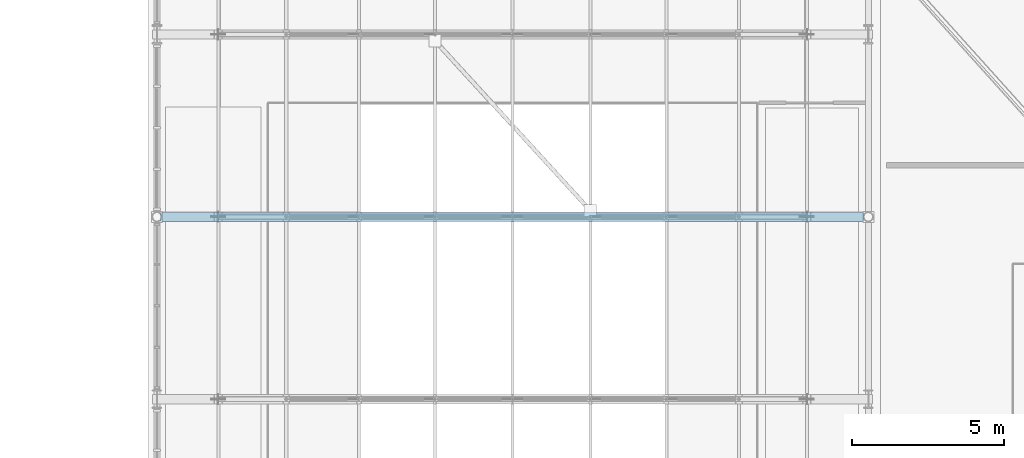
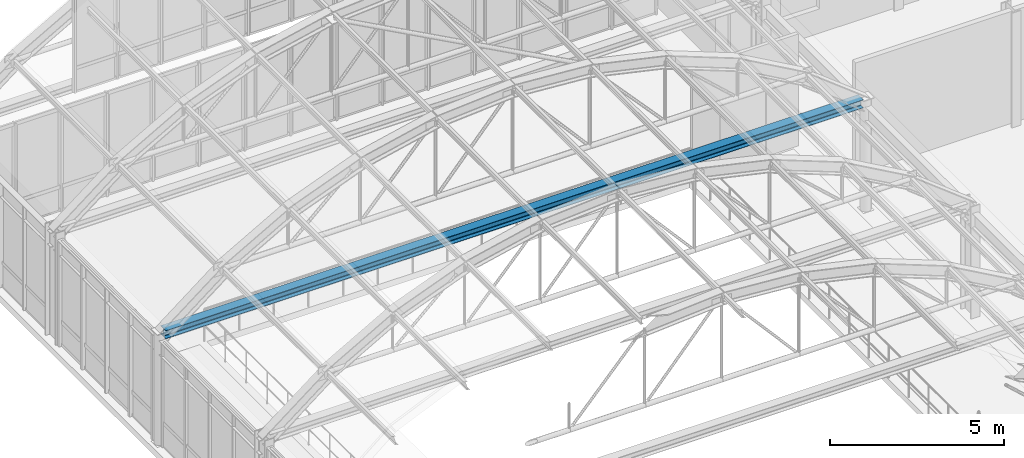
# One storey, part 48 of 148: 1 beam.
"""IFC4 building model written with IfcOpenShell, lengths in metres."""

from ifc_helpers import new_model, si_unit, direction, frame, origin, origin_2d, place, context, subcontext, project, spatial, i_section, extrude, material, material_profile, profile_set, type_object, element, save


model = new_model("IFC4")

# Units and contexts
model_context = context("Model", 3, precision=1e-05, world=origin(), true_north=direction((0.0, 1.0)))
body_context = subcontext(model_context, "Body", "Model", "MODEL_VIEW")
ifc_project = project(units=[si_unit("LENGTHUNIT", "METRE"), si_unit("AREAUNIT", "SQUARE_METRE"), si_unit("VOLUMEUNIT", "CUBIC_METRE"), si_unit("PLANEANGLEUNIT", "RADIAN"), si_unit("MASSUNIT", "GRAM", prefix="KILO"), si_unit("THERMODYNAMICTEMPERATUREUNIT", "KELVIN"), si_unit("POWERUNIT", "WATT")], contexts=[model_context])

# Site, building, storey
site_placement = place(None, origin())
site = spatial("IfcSite", under=ifc_project, at=site_placement, CompositionType="ELEMENT")
building_placement = place(site_placement, origin())
building = spatial("IfcBuilding", under=site, at=building_placement, Name="Solvatero Civic Police Headquarters", CompositionType="ELEMENT")
storey_placement = place(building_placement, frame((0.0, 0.0, 5.10009765625)))
storey = spatial("IfcBuildingStorey", under=building, at=storey_placement, Name="L01", CompositionType="ELEMENT", Elevation=5.10009765625)

# Beam
ifc_material = material(Name="Steel S355", Category="steel")
ifc_material_profile = material_profile(ifc_material, i_section(OverallWidth=0.300048828125, OverallDepth=0.2900390625, WebThickness=0.008544921875, FlangeThickness=0.013916015625, FilletRadius=0.027099609375, at=origin_2d()), Name="HEA 300")
ifc_profile_set = profile_set([ifc_material_profile], Name="Steel S355")
beam_type = type_object("IfcBeamType", Name="BM-ST-HEA300", PredefinedType="SPANDREL", material=ifc_profile_set)
beam_placement = place(storey_placement, frame((98.919921875, 34.800048828125, 3.81884765625), z_axis=(1.0, 0.0, 0.0), x_axis=(0.0, 1.0, 0.0)))
element("IfcBeam", 1, at=beam_placement, inside=storey, type_object=beam_type, Name="VLT1 Barrel Vault Springing Tie Beam F6", PredefinedType="SPANDREL", context=body_context, shape_type="SweptSolid", body=[
    extrude(i_section(OverallWidth=0.300048828125, OverallDepth=0.2900390625, WebThickness=0.008544921875, FlangeThickness=0.013916015625, FilletRadius=0.027099609375, at=origin_2d()), origin(), (0.0, 0.0, 1.0), 23.1201171875),
])

save(model, "model.ifc")
